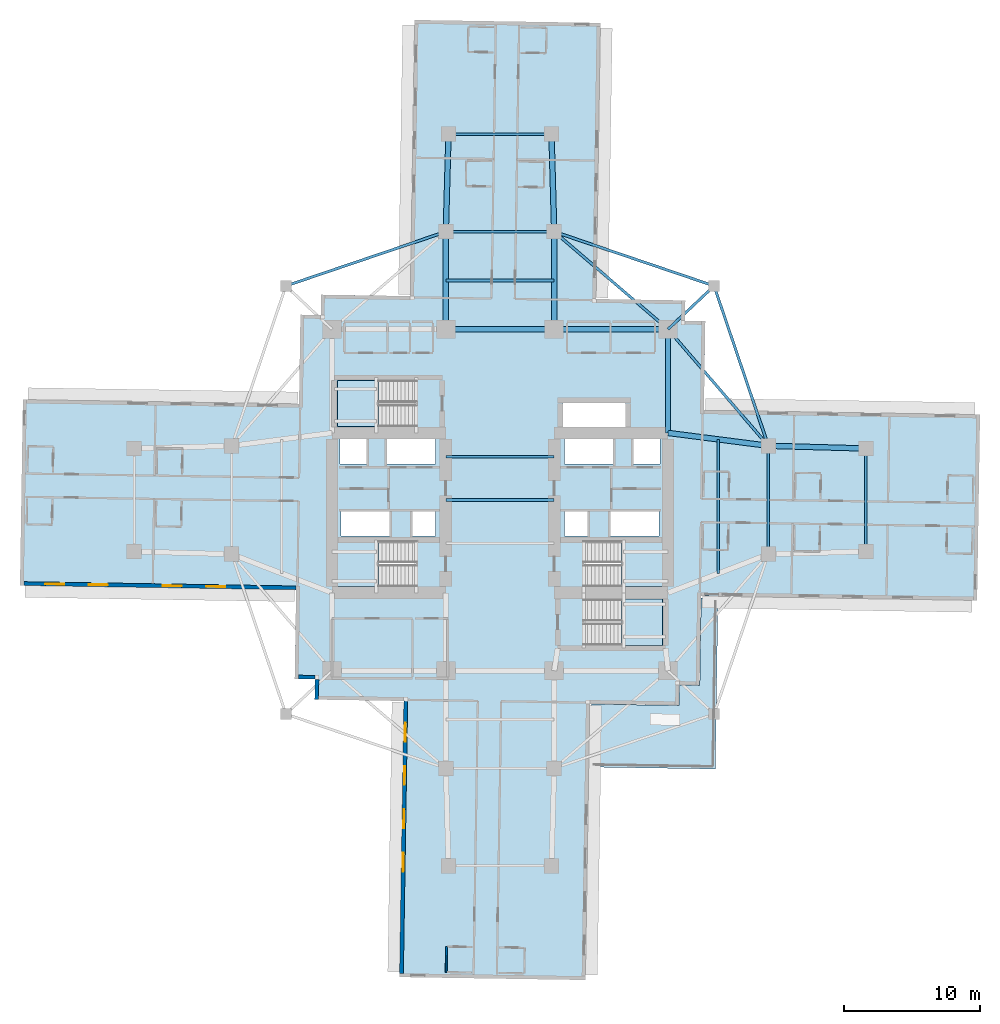
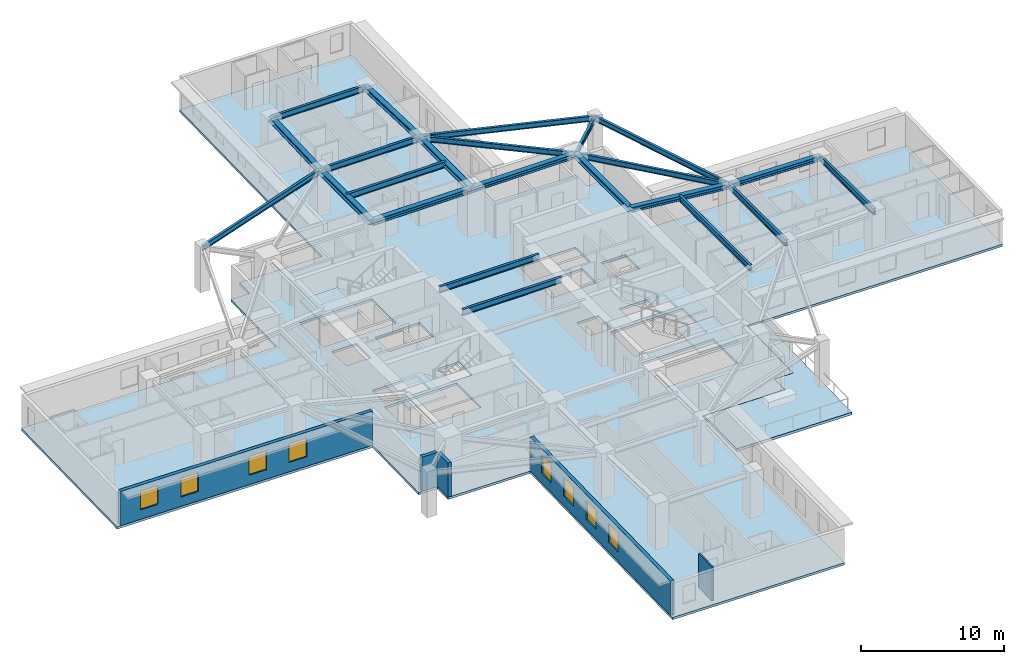
# One storey, part 2 of 13: 23 beams, 8 windows, 6 slabs, 5 walls, 8 openings, 4 elements without a shape of their own.
"""IFC4 building model written with IfcOpenShell, lengths in metres."""

from ifc_helpers import new_model, si_unit, direction, frame, frame_2d, origin, origin_2d, place, context, subcontext, project, spatial, polyline, rectangle, i_section, outline, extrude, material, layer, layer_set, material_profile, profile_set, type_object, element, fill, aggregate, save


model = new_model("IFC4")

# Units and contexts
model_context = context("Model", 3, precision=1e-05, world=origin(), true_north=direction((0.0, 1.0)))
body_context = subcontext(model_context, "Body", "Model", "MODEL_VIEW")
ifc_project = project(units=[si_unit("LENGTHUNIT", "METRE"), si_unit("AREAUNIT", "SQUARE_METRE"), si_unit("VOLUMEUNIT", "CUBIC_METRE"), si_unit("PLANEANGLEUNIT", "RADIAN"), si_unit("MASSUNIT", "GRAM", prefix="KILO")], contexts=[model_context])

# Site, building, storey
site_placement = place(None, origin())
site = spatial("IfcSite", under=ifc_project, at=site_placement, CompositionType="ELEMENT")
building_placement = place(site_placement, origin())
building = spatial("IfcBuilding", under=site, at=building_placement, Name="Qingluan Cross Belvedere", CompositionType="ELEMENT")
storey_placement = place(building_placement, frame((0.0, 0.0, 67.800048828125)))
storey = spatial("IfcBuildingStorey", under=building, at=storey_placement, Name="L17", CompositionType="ELEMENT", Elevation=67.800048828125)

# Beams
ifc_material_1 = material(Name="Steel Q420GJB", Category="steel")
ifc_material_profile_1 = material_profile(ifc_material_1, i_section(OverallWidth=0.199951171875, OverallDepth=0.449951171875, WebThickness=0.009033203125, FlangeThickness=0.013916015625, FilletRadius=0.01611328125, at=origin_2d()), Name="HN450x200x9x14")
ifc_profile_set_1 = profile_set([ifc_material_profile_1], Name="Steel Q420GJB")
beam_type_1 = type_object("IfcBeamType", Name="Steel_Beam_HN450x200x9x14", PredefinedType="JOIST", material=ifc_profile_set_1)
beam_1_placement = place(storey_placement, frame((12.39990234375, 12.60009765625, 3.474853515625), z_axis=(0.728219948308, 0.685343495546, 0.0), x_axis=(-0.685343495546, 0.728219948308, 0.0)))
element("IfcBeam", 1, at=beam_1_placement, inside=storey, type_object=beam_type_1, Name="Corner beam 1 L17-RNE", PredefinedType="JOIST", context=body_context, shape_type="SweptSolid", body=[
    extrude(i_section(OverallWidth=0.199951171875, OverallDepth=0.449951171875, WebThickness=0.009033203125, FlangeThickness=0.013916015625, FilletRadius=0.01611328125, at=origin_2d()), origin(), (0.0, 0.0, 1.0), 4.669189453125),
])
for number, where, z_axis, x_axis, name in (
    (2, (15.800048828125, 15.800048828125, 3.474853515625), (-0.947066283324, 0.321038089628, 0.0), (-0.321038089628, -0.947066283324, 0.0), "Corner beam 2 L17-RNE"),
    (3, (15.800048828125, 15.800048828125, 3.474853515625), (0.321038089628, -0.947066283324, 0.0), (0.947066283324, 0.321038089628, 0.0), "Corner beam 3 L17-RNE"),
):
    element("IfcBeam", number, at=place(storey_placement, frame(where, z_axis=z_axis, x_axis=x_axis)), inside=storey, type_object=beam_type_1, Name=name, PredefinedType="JOIST", context=body_context, shape_type="SweptSolid", body=[
        extrude(i_section(OverallWidth=0.199951171875, OverallDepth=0.449951171875, WebThickness=0.009033203125, FlangeThickness=0.013916015625, FilletRadius=0.01611328125, at=origin_2d()), origin(), (0.0, 0.0, 1.0), 12.45947265625),
    ])
beam_2_placement = place(storey_placement, frame((12.39990234375, 12.60009765625, 3.474853515625), z_axis=(0.652245077546, -0.75800815221, 0.0), x_axis=(0.75800815221, 0.652245077546, 0.0)))
element("IfcBeam", 4, at=beam_2_placement, inside=storey, type_object=beam_type_1, Name="Corner beam 4 L17-RNE", PredefinedType="JOIST", context=body_context, shape_type="SweptSolid", body=[
    extrude(i_section(OverallWidth=0.199951171875, OverallDepth=0.449951171875, WebThickness=0.009033203125, FlangeThickness=0.013916015625, FilletRadius=0.01611328125, at=origin_2d()), origin(), (0.0, 0.0, 1.0), 11.345703125),
])
beam_3_placement = place(storey_placement, frame((12.39990234375, 12.60009765625, 3.474853515625), z_axis=(-0.759255044656, 0.650793190779, 0.0), x_axis=(-0.650793190779, -0.759255044656, 0.0)))
element("IfcBeam", 5, at=beam_3_placement, inside=storey, type_object=beam_type_1, Name="Corner beam 5 L17-RNE", PredefinedType="JOIST", context=body_context, shape_type="SweptSolid", body=[
    extrude(i_section(OverallWidth=0.199951171875, OverallDepth=0.449951171875, WebThickness=0.009033203125, FlangeThickness=0.013916015625, FilletRadius=0.01611328125, at=origin_2d()), origin(), (0.0, 0.0, 1.0), 11.063232421875),
])
beam_4_placement = place(storey_placement, frame((-15.800048828125, 15.800048828125, 3.474853515625), z_axis=(0.947066283324, 0.321038089628, 0.0), x_axis=(-0.321038089628, 0.947066283324, 0.0)))
element("IfcBeam", 6, at=beam_4_placement, inside=storey, type_object=beam_type_1, Name="Corner beam 2 L17-RNW", PredefinedType="JOIST", context=body_context, shape_type="SweptSolid", body=[
    extrude(i_section(OverallWidth=0.199951171875, OverallDepth=0.449951171875, WebThickness=0.009033203125, FlangeThickness=0.013916015625, FilletRadius=0.01611328125, at=origin_2d()), origin(), (0.0, 0.0, 1.0), 12.45947265625),
])
ifc_material_2 = material(Name="Steel Q420GJB", Category="steel")
ifc_material_profile_2 = material_profile(ifc_material_2, i_section(OverallWidth=0.199951171875, OverallDepth=0.5, WebThickness=0.010009765625, FlangeThickness=0.01611328125, FilletRadius=0.01611328125, at=origin_2d()), Name="HN500x200x10x16")
ifc_profile_set_2 = profile_set([ifc_material_profile_2], Name="Steel Q420GJB")
beam_type_2 = type_object("IfcBeamType", Name="Steel_Beam_HN500x200x10x16", PredefinedType="JOIST", material=ifc_profile_set_2)
for number, where, z_axis, x_axis, name in (
    (7, (-4.0, 0.0, 3.449951171875), (1.0, 0.0, 0.0), (0.0, 1.0, 0.0), "Hall beam L17-CH2"),
    (8, (-4.0, 3.199951171875, 3.449951171875), (1.0, 0.0, 0.0), (0.0, 1.0, 0.0), "Hall beam L17-CH3"),
    (9, (19.800048828125, -4.0, 3.449951171875), (0.0, 1.0, 0.0), (-1.0, 0.0, 0.0), "Arm E tie L17"),
):
    element("IfcBeam", number, at=place(storey_placement, frame(where, z_axis=z_axis, x_axis=x_axis)), inside=storey, type_object=beam_type_2, Name=name, PredefinedType="JOIST", context=body_context, shape_type="SweptSolid", body=[
        extrude(i_section(OverallWidth=0.199951171875, OverallDepth=0.5, WebThickness=0.010009765625, FlangeThickness=0.01611328125, FilletRadius=0.01611328125, at=origin_2d()), origin(), (0.0, 0.0, 1.0), 8.0),
    ])
beam_5_placement = place(storey_placement, frame((16.10009765625, -5.425048828125, 3.449951171875), z_axis=(0.0, 1.0, 0.0), x_axis=(-1.0, 0.0, 0.0)))
element("IfcBeam", 10, at=beam_5_placement, inside=storey, type_object=beam_type_2, Name="Arm E beam L17", PredefinedType="JOIST", context=body_context, shape_type="SweptSolid", body=[
    extrude(i_section(OverallWidth=0.199951171875, OverallDepth=0.5, WebThickness=0.010009765625, FlangeThickness=0.01611328125, FilletRadius=0.01611328125, at=origin_2d()), origin(), (0.0, 0.0, 1.0), 9.900146484375),
])
beam_6_placement = place(storey_placement, frame((27.0, -3.800048828125, 3.449951171875), z_axis=(0.0, 1.0, 0.0), x_axis=(-1.0, 0.0, 0.0)))
element("IfcBeam", 11, at=beam_6_placement, inside=storey, type_object=beam_type_2, Name="Arm E tip transverse beam L17", PredefinedType="JOIST", context=body_context, shape_type="SweptSolid", body=[
    extrude(i_section(OverallWidth=0.199951171875, OverallDepth=0.5, WebThickness=0.010009765625, FlangeThickness=0.01611328125, FilletRadius=0.01611328125, at=origin_2d()), origin(), (0.0, 0.0, 1.0), 7.60009765625),
])
for number, where, z_axis, x_axis, name in (
    (12, (-4.0, 19.800048828125, 3.449951171875), (1.0, 0.0, 0.0), (0.0, 1.0, 0.0), "Arm N tie L17"),
    (13, (-4.0, 16.199951171875, 3.449951171875), (1.0, 0.0, 0.0), (0.0, 1.0, 0.0), "Arm N beam L17"),
):
    element("IfcBeam", number, at=place(storey_placement, frame(where, z_axis=z_axis, x_axis=x_axis)), inside=storey, type_object=beam_type_2, Name=name, PredefinedType="JOIST", context=body_context, shape_type="SweptSolid", body=[
        extrude(i_section(OverallWidth=0.199951171875, OverallDepth=0.5, WebThickness=0.010009765625, FlangeThickness=0.01611328125, FilletRadius=0.01611328125, at=origin_2d()), origin(), (0.0, 0.0, 1.0), 8.0),
    ])
beam_7_placement = place(storey_placement, frame((-3.800048828125, 27.0, 3.449951171875), z_axis=(1.0, 0.0, 0.0), x_axis=(0.0, 1.0, 0.0)))
element("IfcBeam", 14, at=beam_7_placement, inside=storey, type_object=beam_type_2, Name="Arm N tip transverse beam L17", PredefinedType="JOIST", context=body_context, shape_type="SweptSolid", body=[
    extrude(i_section(OverallWidth=0.199951171875, OverallDepth=0.5, WebThickness=0.010009765625, FlangeThickness=0.01611328125, FilletRadius=0.01611328125, at=origin_2d()), origin(), (0.0, 0.0, 1.0), 7.60009765625),
])
ifc_material_3 = material(Name="Steel Q420GJB", Category="steel")
ifc_material_profile_3 = material_profile(ifc_material_3, i_section(OverallWidth=0.39990234375, OverallDepth=0.39990234375, WebThickness=0.012939453125, FlangeThickness=0.02099609375, FilletRadius=0.02197265625, at=origin_2d()), Name="HW400x400x13x21")
ifc_profile_set_3 = profile_set([ifc_material_profile_3], Name="Steel Q420GJB")
beam_type_3 = type_object("IfcBeamType", Name="Steel_Girder_HW400x400x13x21", PredefinedType="USERDEFINED", material=ifc_profile_set_3)
beam_8_placement = place(storey_placement, frame((-4.0, 12.60009765625, 3.5), z_axis=(1.0, 0.0, 0.0), x_axis=(0.0, 1.0, 0.0)))
element("IfcBeam", 15, at=beam_8_placement, inside=storey, type_object=beam_type_3, Name="Hub girder L17-HG-N2", ObjectType="GIRDER", PredefinedType="USERDEFINED", context=body_context, shape_type="SweptSolid", body=[
    extrude(i_section(OverallWidth=0.39990234375, OverallDepth=0.39990234375, WebThickness=0.012939453125, FlangeThickness=0.02099609375, FilletRadius=0.02197265625, at=origin_2d()), origin(), (0.0, 0.0, 1.0), 8.0),
])
beam_9_placement = place(storey_placement, frame((4.0, 12.60009765625, 3.5), z_axis=(1.0, 0.0, 0.0), x_axis=(0.0, 1.0, 0.0)))
element("IfcBeam", 16, at=beam_9_placement, inside=storey, type_object=beam_type_3, Name="Hub girder L17-HG-N3", ObjectType="GIRDER", PredefinedType="USERDEFINED", context=body_context, shape_type="SweptSolid", body=[
    extrude(i_section(OverallWidth=0.39990234375, OverallDepth=0.39990234375, WebThickness=0.012939453125, FlangeThickness=0.02099609375, FilletRadius=0.02197265625, at=origin_2d()), origin(), (0.0, 0.0, 1.0), 8.39990234375),
])
beam_10_placement = place(storey_placement, frame((12.39990234375, 4.949951171875, 3.5), z_axis=(0.0, 1.0, 0.0), x_axis=(-1.0, 0.0, 0.0)))
element("IfcBeam", 17, at=beam_10_placement, inside=storey, type_object=beam_type_3, Name="Hub girder L17-HG-E2", ObjectType="GIRDER", PredefinedType="USERDEFINED", context=body_context, shape_type="SweptSolid", body=[
    extrude(i_section(OverallWidth=0.39990234375, OverallDepth=0.39990234375, WebThickness=0.012939453125, FlangeThickness=0.02099609375, FilletRadius=0.02197265625, at=origin_2d()), origin(), (0.0, 0.0, 1.0), 7.650146484375),
])
beam_11_placement = place(storey_placement, frame((12.39990234375, 4.949951171875, 3.5), z_axis=(0.991861120628, -0.12732445714, 0.0), x_axis=(0.12732445714, 0.991861120628, 0.0)))
element("IfcBeam", 18, at=beam_11_placement, inside=storey, type_object=beam_type_3, Name="Arm E radial girder B L17", ObjectType="GIRDER", PredefinedType="USERDEFINED", context=body_context, shape_type="SweptSolid", body=[
    extrude(i_section(OverallWidth=0.39990234375, OverallDepth=0.39990234375, WebThickness=0.012939453125, FlangeThickness=0.02099609375, FilletRadius=0.02197265625, at=origin_2d()), origin(), (0.0, 0.0, 1.0), 7.4609375),
])
beam_12_placement = place(storey_placement, frame((19.800048828125, 4.0, 3.5), z_axis=(0.999614603568, -0.027760481514, 0.0), x_axis=(0.027760481514, 0.999614603568, 0.0)))
element("IfcBeam", 19, at=beam_12_placement, inside=storey, type_object=beam_type_3, Name="Arm E outer radial girder B L17", ObjectType="GIRDER", PredefinedType="USERDEFINED", context=body_context, shape_type="SweptSolid", body=[
    extrude(i_section(OverallWidth=0.39990234375, OverallDepth=0.39990234375, WebThickness=0.012939453125, FlangeThickness=0.02099609375, FilletRadius=0.02197265625, at=origin_2d()), origin(), (0.0, 0.0, 1.0), 7.20263671875),
])
for number, where, z_axis, x_axis, name in (
    (20, (-4.0, 12.60009765625, 3.5), (0.0, 1.0, 0.0), (-1.0, 0.0, 0.0), "Arm N radial girder A L17"),
    (21, (4.0, 12.60009765625, 3.5), (0.0, 1.0, 0.0), (-1.0, 0.0, 0.0), "Arm N radial girder B L17"),
):
    element("IfcBeam", number, at=place(storey_placement, frame(where, z_axis=z_axis, x_axis=x_axis)), inside=storey, type_object=beam_type_3, Name=name, ObjectType="GIRDER", PredefinedType="USERDEFINED", context=body_context, shape_type="SweptSolid", body=[
        extrude(i_section(OverallWidth=0.39990234375, OverallDepth=0.39990234375, WebThickness=0.012939453125, FlangeThickness=0.02099609375, FilletRadius=0.02197265625, at=origin_2d()), origin(), (0.0, 0.0, 1.0), 7.199951171875),
    ])
for number, where, z_axis, x_axis, name in (
    (22, (-4.0, 19.800048828125, 3.5), (0.027760481514, 0.999614603568, 0.0), (-0.999614603568, 0.027760481514, 0.0), "Arm N outer radial girder A L17"),
    (23, (4.0, 19.800048828125, 3.5), (-0.027760481514, 0.999614603568, 0.0), (-0.999614603568, -0.027760481514, 0.0), "Arm N outer radial girder B L17"),
):
    element("IfcBeam", number, at=place(storey_placement, frame(where, z_axis=z_axis, x_axis=x_axis)), inside=storey, type_object=beam_type_3, Name=name, ObjectType="GIRDER", PredefinedType="USERDEFINED", context=body_context, shape_type="SweptSolid", body=[
        extrude(i_section(OverallWidth=0.39990234375, OverallDepth=0.39990234375, WebThickness=0.012939453125, FlangeThickness=0.02099609375, FilletRadius=0.02197265625, at=origin_2d()), origin(), (0.0, 0.0, 1.0), 7.20263671875),
    ])

# Slab
ifc_material_4 = material(Name="Concrete C40", Category="concrete")
ifc_layer_1 = layer(ifc_material_4, 0.199951171875, Name="FloorSlab_200")
ifc_layer_set_1 = layer_set([ifc_layer_1], Name="Concrete C40")
slab_type_1 = type_object("IfcSlabType", Name="FloorSlab_200", PredefinedType="FLOOR", material=ifc_layer_set_1)
slab_1_placement = place(storey_placement, frame((0.0, 0.0, -0.199951171875)))
element("IfcSlab", 24, at=slab_1_placement, inside=storey, type_object=slab_type_1, Name="Structural floor slab L17", PredefinedType="FLOOR", context=body_context, shape_type="SweptSolid", body=[
    extrude(outline(polyline([(6.304443359375, -35.42333984375), (6.62451171875, -15.0458984375), (13.20361328125, -15.1494140625), (13.227294921875, -13.6494140625), (14.72705078125, -13.673095703125), (14.830322265625, -7.09375), (35.2080078125, -7.413818359375), (35.42333984375, 6.304443359375), (15.0458984375, 6.62451171875), (15.1494140625, 13.20361328125), (13.6494140625, 13.227294921875), (13.673095703125, 14.72705078125), (7.09375, 14.830322265625), (7.413818359375, 35.2080078125), (-6.304443359375, 35.42333984375), (-6.62451171875, 15.0458984375), (-13.20361328125, 15.1494140625), (-13.227294921875, 13.6494140625), (-14.72705078125, 13.673095703125), (-14.830322265625, 7.09375), (-35.2080078125, 7.413818359375), (-35.42333984375, -6.304443359375), (-15.0458984375, -6.62451171875), (-15.1494140625, -13.20361328125), (-13.6494140625, -13.227294921875), (-13.673095703125, -14.72705078125), (-7.09375, -14.830322265625), (-7.413818359375, -35.2080078125), (6.304443359375, -35.42333984375)]), holes=[polyline([(-12.0, -3.0), (-6.179931640625, -3.0), (-6.179931640625, -6.39990234375), (-12.0, -6.39990234375), (-12.0, -3.0)]), polyline([(6.179931640625, -3.0), (12.0, -3.0), (12.0, -6.39990234375), (6.179931640625, -6.39990234375), (6.179931640625, -3.0)]), polyline([(-12.0, 8.820068359375), (-6.179931640625, 8.820068359375), (-6.179931640625, 5.419921875), (-12.0, 5.419921875), (-12.0, 8.820068359375)]), polyline([(6.179931640625, -7.320068359375), (12.0, -7.320068359375), (12.0, -10.719970703125), (6.179931640625, -10.719970703125), (6.179931640625, -7.320068359375)]), polyline([(-11.800048828125, 4.64990234375), (-9.85009765625, 4.64990234375), (-9.85009765625, 2.64990234375), (-11.800048828125, 2.64990234375), (-11.800048828125, 4.64990234375)]), polyline([(-8.35009765625, 4.64990234375), (-4.75, 4.64990234375), (-4.75, 2.64990234375), (-8.35009765625, 2.64990234375), (-8.35009765625, 4.64990234375)]), polyline([(4.75, 4.64990234375), (8.35009765625, 4.64990234375), (8.35009765625, 2.64990234375), (4.75, 2.64990234375), (4.75, 4.64990234375)]), polyline([(9.85009765625, 4.64990234375), (11.800048828125, 4.64990234375), (11.800048828125, 2.64990234375), (9.85009765625, 2.64990234375), (9.85009765625, 4.64990234375)]), polyline([(-11.75, -0.840087890625), (-8.14990234375, -0.840087890625), (-8.14990234375, -2.659912109375), (-11.75, -2.659912109375), (-11.75, -0.840087890625)]), polyline([(-6.449951171875, -0.840087890625), (-4.75, -0.840087890625), (-4.75, -2.659912109375), (-6.449951171875, -2.659912109375), (-6.449951171875, -0.840087890625)]), polyline([(4.75, -0.840087890625), (6.449951171875, -0.840087890625), (6.449951171875, -2.659912109375), (4.75, -2.659912109375), (4.75, -0.840087890625)]), polyline([(8.14990234375, -0.840087890625), (11.75, -0.840087890625), (11.75, -2.659912109375), (8.14990234375, -2.659912109375), (8.14990234375, -0.840087890625)]), polyline([(4.64990234375, 7.14990234375), (9.25, 7.14990234375), (9.25, 5.14990234375), (4.64990234375, 5.14990234375), (4.64990234375, 7.14990234375)])]), origin(), (0.0, 0.0, 1.0), 0.199951171875),
])

# Stair, slab
ifc_material_5 = material(Name="Concrete C40", Category="concrete")
stair_type = type_object("IfcStairType", Name="CoreDoglegStair_1620", PredefinedType="HALF_TURN_STAIR", material=ifc_material_5)
stair_1_placement = place(storey_placement, origin())
stair_1 = element("IfcStair", 25, at=stair_1_placement, inside=storey, type_object=stair_type, Name="L17 ST1", PredefinedType="HALF_TURN_STAIR")
ifc_material_6 = material(Name="Concrete C40", Category="concrete")
ifc_layer_2 = layer(ifc_material_6, 0.179931640625, Name="StairLandingSlab_180")
ifc_layer_set_2 = layer_set([ifc_layer_2], Name="Concrete C40")
slab_type_2 = type_object("IfcSlabType", Name="StairLandingSlab_180", PredefinedType="LANDING", material=ifc_layer_set_2)
slab_2_placement = place(storey_placement, frame((0.0, 0.0, 1.75)))
slab_2 = element("IfcSlab", 26, at=slab_2_placement, type_object=slab_type_2, Name="ST1 landing 1", PredefinedType="LANDING", context=body_context, shape_type="SweptSolid", body=[
    extrude(outline(polyline([(-8.97998046875, -3.0), (-12.0, -3.0), (-12.0, -6.39990234375), (-8.97998046875, -6.39990234375), (-8.97998046875, -3.0)])), origin(), (0.0, 0.0, 1.0), 0.199951171875),
])
aggregate(stair_1, [slab_2])

stair_2_placement = place(storey_placement, origin())
stair_2 = element("IfcStair", 27, at=stair_2_placement, inside=storey, type_object=stair_type, Name="L17 ST2", PredefinedType="HALF_TURN_STAIR")
slab_3_placement = place(storey_placement, frame((0.0, 0.0, 1.75)))
slab_3 = element("IfcSlab", 28, at=slab_3_placement, type_object=slab_type_2, Name="ST2 landing 1", PredefinedType="LANDING", context=body_context, shape_type="SweptSolid", body=[
    extrude(outline(polyline([(8.97998046875, -6.39990234375), (12.0, -6.39990234375), (12.0, -3.0), (8.97998046875, -3.0), (8.97998046875, -6.39990234375)])), origin(), (0.0, 0.0, 1.0), 0.199951171875),
])
aggregate(stair_2, [slab_3])

stair_3_placement = place(storey_placement, origin())
stair_3 = element("IfcStair", 29, at=stair_3_placement, inside=storey, type_object=stair_type, Name="L17 ST3", PredefinedType="HALF_TURN_STAIR")
slab_4_placement = place(storey_placement, frame((0.0, 0.0, 1.75)))
slab_4 = element("IfcSlab", 30, at=slab_4_placement, type_object=slab_type_2, Name="ST3 landing 1", PredefinedType="LANDING", context=body_context, shape_type="SweptSolid", body=[
    extrude(outline(polyline([(-8.97998046875, 8.820068359375), (-12.0, 8.820068359375), (-12.0, 5.419921875), (-8.97998046875, 5.419921875), (-8.97998046875, 8.820068359375)])), origin(), (0.0, 0.0, 1.0), 0.199951171875),
])
aggregate(stair_3, [slab_4])

stair_4_placement = place(storey_placement, origin())
stair_4 = element("IfcStair", 31, at=stair_4_placement, inside=storey, type_object=stair_type, Name="L17 ST4", PredefinedType="HALF_TURN_STAIR")
slab_5_placement = place(storey_placement, frame((0.0, 0.0, 1.75)))
slab_5 = element("IfcSlab", 32, at=slab_5_placement, type_object=slab_type_2, Name="ST4 landing 1", PredefinedType="LANDING", context=body_context, shape_type="SweptSolid", body=[
    extrude(outline(polyline([(8.97998046875, -10.719970703125), (12.0, -10.719970703125), (12.0, -7.320068359375), (8.97998046875, -7.320068359375), (8.97998046875, -10.719970703125)])), origin(), (0.0, 0.0, 1.0), 0.199951171875),
])
aggregate(stair_4, [slab_5])

# Slab
ifc_material_7 = material(Name="Concrete C40", Category="concrete")
ifc_layer_3 = layer(ifc_material_7, 0.219970703125, Name="TerraceSlab_220")
ifc_layer_set_3 = layer_set([ifc_layer_3], Name="Concrete C40")
slab_type_3 = type_object("IfcSlabType", Name="TerraceSlab_220", PredefinedType="FLOOR", material=ifc_layer_set_3)
slab_6_placement = place(storey_placement, frame((0.0, 0.0, -0.219970703125)))
element("IfcSlab", 33, at=slab_6_placement, inside=storey, type_object=slab_type_3, Name="Spiralling winter-garden terrace slab L17", PredefinedType="FLOOR", context=body_context, shape_type="SweptSolid", body=[
    extrude(outline(polyline([(14.838134765625, -7.23388671875), (14.7353515625, -13.6787109375), (13.237060546875, -13.65966796875), (13.213623046875, -15.1494140625), (13.20556640625, -15.1591796875), (6.764404296875, -15.05810546875), (6.69140625, -19.70751953125), (15.89013671875, -19.85205078125), (16.088134765625, -7.253662109375), (14.838134765625, -7.23388671875)])), origin(), (0.0, 0.0, 1.0), 0.219970703125),
])

# Wall
ifc_material_8 = material(Name="Moisture-resistant gypsum board lining")
ifc_layer_4 = layer(ifc_material_8, 0.1201171875, Name="EnsuiteWetPartition_120")
ifc_layer_set_4 = layer_set([ifc_layer_4], Name="Moisture-resistant gypsum board lining")
wall_type_1 = type_object("IfcWallType", Name="EnsuiteWetPartition_120", PredefinedType="PARTITIONING", material=ifc_layer_set_4)
wall_1_placement = place(storey_placement, frame((-3.943115234375, -32.962158203125, 0.0), z_axis=(0.0, 0.0, 1.0), x_axis=(-0.015844224657, -0.999874472394, 0.0)))
element("IfcWall", 34, at=wall_1_placement, inside=storey, type_object=wall_type_1, Name="Partition L17:S:bc1_0", PredefinedType="PARTITIONING", context=body_context, shape_type="SweptSolid", body=[
    extrude(rectangle(XDim=1.8798828125, YDim=0.1201171875, at=frame_2d((0.93994140625, 0.0))), origin(), (0.0, 0.0, 1.0), 2.89990234375),
])

# Wall, openings, windows
ifc_material_9 = material(Name="Precast concrete C45", Category="concrete")
ifc_layer_5 = layer(ifc_material_9, 0.280029296875, Name="PrecastFacadeWall_280")
ifc_layer_set_5 = layer_set([ifc_layer_5], Name="Precast concrete C45")
wall_type_2 = type_object("IfcWallType", Name="PrecastFacadeWall_280", PredefinedType="STANDARD", material=ifc_layer_set_5)
wall_2_placement = place(storey_placement, frame((-35.14111328125, -6.168701171875, 0.0), z_axis=(0.0, 0.0, 1.0), x_axis=(0.999876474133, -0.01571739401, 0.0)))
wall_2 = element("IfcWall", 35, at=wall_2_placement, inside=storey, type_object=wall_type_2, Name="Facade wall L17-WB", PredefinedType="STANDARD", context=body_context, shape_type="SweptSolid", body=[
    extrude(rectangle(XDim=20.099853515625, YDim=0.280029296875, at=frame_2d((10.0498046875, 0.0))), origin(), (0.0, 0.0, 1.0), 2.909912109375),
])
opening_1_placement = place(wall_2_placement, frame((1.60009765625, 0.0, 0.800048828125)))
opening_1 = element("IfcOpeningElement", 36, at=opening_1_placement, cuts=wall_2, Name="Opening W-01", PredefinedType="OPENING", context=body_context, shape_type="SweptSolid", body=[
    extrude(rectangle(XDim=1.39990234375, YDim=1.60009765625, at=frame_2d((0.699951171875, 0.800048828125))), frame((0.0, 0.14990234375, 0.0), z_axis=(0.0, -1.0, 0.0), x_axis=(1.0, 0.0, 0.0)), (0.0, 0.0, 1.0), 0.300048828125),
])
opening_2_placement = place(wall_2_placement, frame((4.800048828125, 0.0, 0.800048828125)))
opening_2 = element("IfcOpeningElement", 37, at=opening_2_placement, cuts=wall_2, Name="Opening W-01", PredefinedType="OPENING", context=body_context, shape_type="SweptSolid", body=[
    extrude(rectangle(XDim=1.39990234375, YDim=1.60009765625, at=frame_2d((0.699951171875, 0.800048828125))), frame((0.0, 0.14990234375, 0.0), z_axis=(0.0, -1.0, 0.0), x_axis=(1.0, 0.0, 0.0)), (0.0, 0.0, 1.0), 0.300048828125),
])
opening_3_placement = place(wall_2_placement, frame((10.25, 0.0, 0.800048828125)))
opening_3 = element("IfcOpeningElement", 38, at=opening_3_placement, cuts=wall_2, Name="Opening W-01", PredefinedType="OPENING", context=body_context, shape_type="SweptSolid", body=[
    extrude(rectangle(XDim=1.39990234375, YDim=1.60009765625, at=frame_2d((0.699951171875, 0.800048828125))), frame((0.0, 0.14990234375, 0.0), z_axis=(0.0, -1.0, 0.0), x_axis=(1.0, 0.0, 0.0)), (0.0, 0.0, 1.0), 0.300048828125),
])
opening_4_placement = place(wall_2_placement, frame((13.449951171875, 0.0, 0.800048828125)))
opening_4 = element("IfcOpeningElement", 39, at=opening_4_placement, cuts=wall_2, Name="Opening W-01", PredefinedType="OPENING", context=body_context, shape_type="SweptSolid", body=[
    extrude(rectangle(XDim=1.39990234375, YDim=1.60009765625, at=frame_2d((0.699951171875, 0.800048828125))), frame((0.0, 0.14990234375, 0.0), z_axis=(0.0, -1.0, 0.0), x_axis=(1.0, 0.0, 0.0)), (0.0, 0.0, 1.0), 0.300048828125),
])
ifc_material_10 = material(Name="Thermally broken triple Low-E glass in aluminium frame", Category="aluminium")
window_type = type_object("IfcWindowType", Name="TriRibbonWin_1400x1600", PartitioningType="SINGLE_PANEL", PredefinedType="WINDOW", material=ifc_material_10)
window_1_placement = place(opening_1_placement, origin())
window_1 = element("IfcWindow", 40, at=window_1_placement, inside=storey, type_object=window_type, Name="Ribbon window L17-WB-1", OverallHeight=1.60009765625, OverallWidth=1.39990234375, PartitioningType="SINGLE_PANEL", PredefinedType="WINDOW", context=body_context, shape_type="SweptSolid", body=[
    extrude(rectangle(XDim=1.39990234375, YDim=1.60009765625, at=frame_2d((0.699951171875, 0.800048828125))), frame((0.0, 0.030029296875, 0.0), z_axis=(0.0, -1.0, 0.0), x_axis=(1.0, 0.0, 0.0)), (0.0, 0.0, 1.0), 0.06005859375),
])
fill(opening_1, window_1)
window_2_placement = place(opening_2_placement, origin())
window_2 = element("IfcWindow", 41, at=window_2_placement, inside=storey, type_object=window_type, Name="Ribbon window L17-WB-2", OverallHeight=1.60009765625, OverallWidth=1.39990234375, PartitioningType="SINGLE_PANEL", PredefinedType="WINDOW", context=body_context, shape_type="SweptSolid", body=[
    extrude(rectangle(XDim=1.39990234375, YDim=1.60009765625, at=frame_2d((0.699951171875, 0.800048828125))), frame((0.0, 0.030029296875, 0.0), z_axis=(0.0, -1.0, 0.0), x_axis=(1.0, 0.0, 0.0)), (0.0, 0.0, 1.0), 0.06005859375),
])
fill(opening_2, window_2)
window_3_placement = place(opening_3_placement, origin())
window_3 = element("IfcWindow", 42, at=window_3_placement, inside=storey, type_object=window_type, Name="Ribbon window L17-WB-3", OverallHeight=1.60009765625, OverallWidth=1.39990234375, PartitioningType="SINGLE_PANEL", PredefinedType="WINDOW", context=body_context, shape_type="SweptSolid", body=[
    extrude(rectangle(XDim=1.39990234375, YDim=1.60009765625, at=frame_2d((0.699951171875, 0.800048828125))), frame((0.0, 0.030029296875, 0.0), z_axis=(0.0, -1.0, 0.0), x_axis=(1.0, 0.0, 0.0)), (0.0, 0.0, 1.0), 0.06005859375),
])
fill(opening_3, window_3)
window_4_placement = place(opening_4_placement, origin())
window_4 = element("IfcWindow", 43, at=window_4_placement, inside=storey, type_object=window_type, Name="Ribbon window L17-WB-4", OverallHeight=1.60009765625, OverallWidth=1.39990234375, PartitioningType="SINGLE_PANEL", PredefinedType="WINDOW", context=body_context, shape_type="SweptSolid", body=[
    extrude(rectangle(XDim=1.39990234375, YDim=1.60009765625, at=frame_2d((0.699951171875, 0.800048828125))), frame((0.0, 0.030029296875, 0.0), z_axis=(0.0, -1.0, 0.0), x_axis=(1.0, 0.0, 0.0)), (0.0, 0.0, 1.0), 0.06005859375),
])
fill(opening_4, window_4)

wall_3_placement = place(storey_placement, frame((-6.953857421875, -14.83251953125, 0.0), z_axis=(0.0, 0.0, 1.0), x_axis=(-0.015705059908, -0.999876667941, 0.0)))
wall_3 = element("IfcWall", 44, at=wall_3_placement, inside=storey, type_object=wall_type_2, Name="Facade wall L17-SA", PredefinedType="STANDARD", context=body_context, shape_type="SweptSolid", body=[
    extrude(rectangle(XDim=20.10009765625, YDim=0.280029296875, at=frame_2d((10.050048828125, 0.0))), origin(), (0.0, 0.0, 1.0), 2.909912109375),
])
opening_5_placement = place(wall_3_placement, frame((1.60009765625, 0.0, 0.800048828125)))
opening_5 = element("IfcOpeningElement", 45, at=opening_5_placement, cuts=wall_3, Name="Opening W-01", PredefinedType="OPENING", context=body_context, shape_type="SweptSolid", body=[
    extrude(rectangle(XDim=1.39990234375, YDim=1.60009765625, at=frame_2d((0.699951171875, 0.800048828125))), frame((0.0, 0.14990234375, 0.0), z_axis=(0.0, -1.0, 0.0), x_axis=(1.0, 0.0, 0.0)), (0.0, 0.0, 1.0), 0.300048828125),
])
opening_6_placement = place(wall_3_placement, frame((4.800048828125, 0.0, 0.800048828125)))
opening_6 = element("IfcOpeningElement", 46, at=opening_6_placement, cuts=wall_3, Name="Opening W-01", PredefinedType="OPENING", context=body_context, shape_type="SweptSolid", body=[
    extrude(rectangle(XDim=1.39990234375, YDim=1.60009765625, at=frame_2d((0.699951171875, 0.800048828125))), frame((0.0, 0.14990234375, 0.0), z_axis=(0.0, -1.0, 0.0), x_axis=(1.0, 0.0, 0.0)), (0.0, 0.0, 1.0), 0.300048828125),
])
opening_7_placement = place(wall_3_placement, frame((8.0, 0.0, 0.800048828125)))
opening_7 = element("IfcOpeningElement", 47, at=opening_7_placement, cuts=wall_3, Name="Opening W-01", PredefinedType="OPENING", context=body_context, shape_type="SweptSolid", body=[
    extrude(rectangle(XDim=1.39990234375, YDim=1.60009765625, at=frame_2d((0.699951171875, 0.800048828125))), frame((0.0, 0.14990234375, 0.0), z_axis=(0.0, -1.0, 0.0), x_axis=(1.0, 0.0, 0.0)), (0.0, 0.0, 1.0), 0.300048828125),
])
opening_8_placement = place(wall_3_placement, frame((11.199951171875, 0.0, 0.800048828125)))
opening_8 = element("IfcOpeningElement", 48, at=opening_8_placement, cuts=wall_3, Name="Opening W-01", PredefinedType="OPENING", context=body_context, shape_type="SweptSolid", body=[
    extrude(rectangle(XDim=1.39990234375, YDim=1.60009765625, at=frame_2d((0.699951171875, 0.800048828125))), frame((0.0, 0.14990234375, 0.0), z_axis=(0.0, -1.0, 0.0), x_axis=(1.0, 0.0, 0.0)), (0.0, 0.0, 1.0), 0.300048828125),
])
window_5_placement = place(opening_5_placement, origin())
window_5 = element("IfcWindow", 49, at=window_5_placement, inside=storey, type_object=window_type, Name="Ribbon window L17-SA-1", OverallHeight=1.60009765625, OverallWidth=1.39990234375, PartitioningType="SINGLE_PANEL", PredefinedType="WINDOW", context=body_context, shape_type="SweptSolid", body=[
    extrude(rectangle(XDim=1.39990234375, YDim=1.60009765625, at=frame_2d((0.699951171875, 0.800048828125))), frame((0.0, 0.030029296875, 0.0), z_axis=(0.0, -1.0, 0.0), x_axis=(1.0, 0.0, 0.0)), (0.0, 0.0, 1.0), 0.06005859375),
])
fill(opening_5, window_5)
window_6_placement = place(opening_6_placement, origin())
window_6 = element("IfcWindow", 50, at=window_6_placement, inside=storey, type_object=window_type, Name="Ribbon window L17-SA-2", OverallHeight=1.60009765625, OverallWidth=1.39990234375, PartitioningType="SINGLE_PANEL", PredefinedType="WINDOW", context=body_context, shape_type="SweptSolid", body=[
    extrude(rectangle(XDim=1.39990234375, YDim=1.60009765625, at=frame_2d((0.699951171875, 0.800048828125))), frame((0.0, 0.030029296875, 0.0), z_axis=(0.0, -1.0, 0.0), x_axis=(1.0, 0.0, 0.0)), (0.0, 0.0, 1.0), 0.06005859375),
])
fill(opening_6, window_6)
window_7_placement = place(opening_7_placement, origin())
window_7 = element("IfcWindow", 51, at=window_7_placement, inside=storey, type_object=window_type, Name="Ribbon window L17-SA-3", OverallHeight=1.60009765625, OverallWidth=1.39990234375, PartitioningType="SINGLE_PANEL", PredefinedType="WINDOW", context=body_context, shape_type="SweptSolid", body=[
    extrude(rectangle(XDim=1.39990234375, YDim=1.60009765625, at=frame_2d((0.699951171875, 0.800048828125))), frame((0.0, 0.030029296875, 0.0), z_axis=(0.0, -1.0, 0.0), x_axis=(1.0, 0.0, 0.0)), (0.0, 0.0, 1.0), 0.06005859375),
])
fill(opening_7, window_7)
window_8_placement = place(opening_8_placement, origin())
window_8 = element("IfcWindow", 52, at=window_8_placement, inside=storey, type_object=window_type, Name="Ribbon window L17-SA-4", OverallHeight=1.60009765625, OverallWidth=1.39990234375, PartitioningType="SINGLE_PANEL", PredefinedType="WINDOW", context=body_context, shape_type="SweptSolid", body=[
    extrude(rectangle(XDim=1.39990234375, YDim=1.60009765625, at=frame_2d((0.699951171875, 0.800048828125))), frame((0.0, 0.030029296875, 0.0), z_axis=(0.0, -1.0, 0.0), x_axis=(1.0, 0.0, 0.0)), (0.0, 0.0, 1.0), 0.06005859375),
])
fill(opening_8, window_8)

# Walls
wall_4_placement = place(storey_placement, frame((-14.8671875, -13.068115234375, 0.0), z_axis=(0.0, 0.0, 1.0), x_axis=(0.999875053502, -0.015807510352, 0.0)))
element("IfcWall", 53, at=wall_4_placement, inside=storey, type_object=wall_type_2, Name="Corner wall L17-SW2", PredefinedType="STANDARD", context=body_context, shape_type="SweptSolid", body=[
    extrude(rectangle(XDim=1.22021484375, YDim=0.280029296875, at=frame_2d((0.610107421875, 0.0))), origin(), (0.0, 0.0, 1.0), 2.909912109375),
])
wall_5_placement = place(storey_placement, frame((-13.509521484375, -13.2294921875, 0.0), z_axis=(0.0, 0.0, 1.0), x_axis=(-0.015625635615, -0.999877912303, 0.0)))
element("IfcWall", 54, at=wall_5_placement, inside=storey, type_object=wall_type_2, Name="Corner wall L17-SW3", PredefinedType="STANDARD", context=body_context, shape_type="SweptSolid", body=[
    extrude(rectangle(XDim=1.5, YDim=0.280029296875, at=frame_2d((0.75, 0.0))), origin(), (0.0, 0.0, 1.0), 2.909912109375),
])

save(model, "model.ifc")
